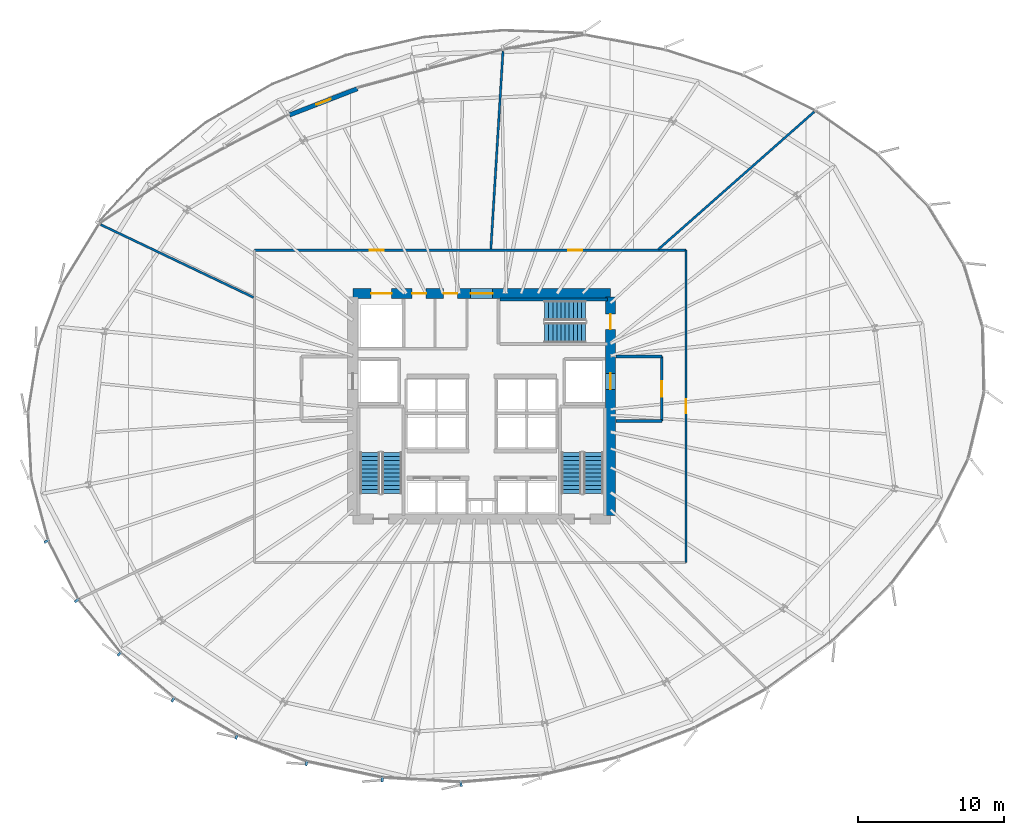
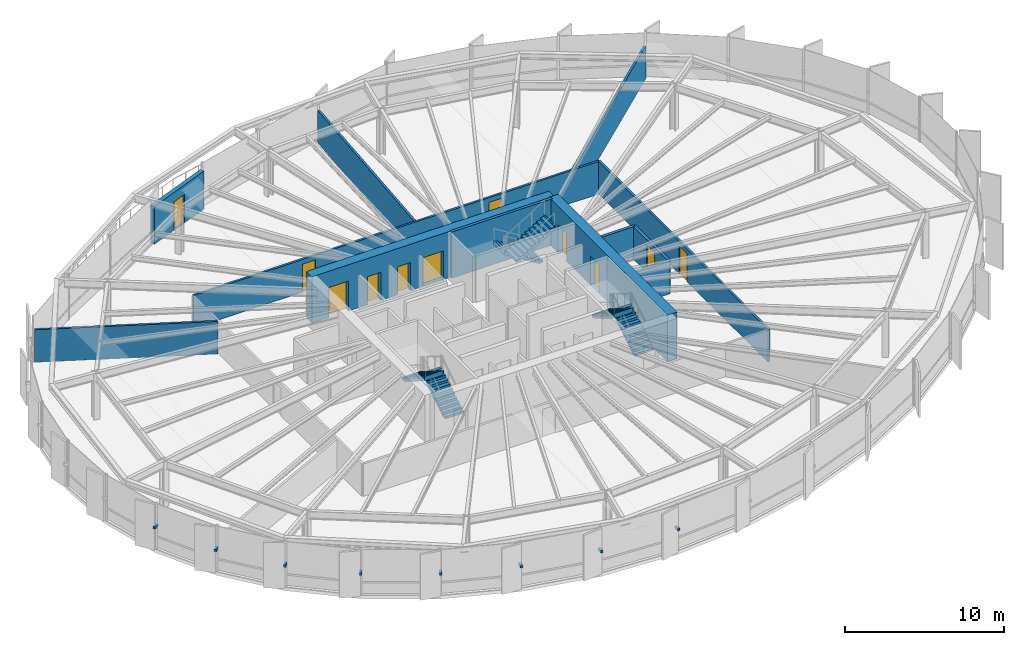
# One storey, part 33 of 38: 12 walls, 11 doors, 8 discrete accessories, 6 stair flights, 11 openings, 3 elements without a shape of their own.
"""IFC4 building model written with IfcOpenShell, lengths in metres."""

from ifc_helpers import new_model, si_unit, direction, frame, frame_2d, origin, origin_2d, place, context, subcontext, project, spatial, polyline, rectangle, outline, extrude, source, transform, mapped, material, layer, layer_set, type_object, element, fill, aggregate, save


model = new_model("IFC4")

# Units and contexts
model_context = context("Model", 3, precision=1e-05, world=origin(), true_north=direction((0.0, 1.0)))
body_context = subcontext(model_context, "Body", "Model", "MODEL_VIEW")
ifc_project = project(units=[si_unit("LENGTHUNIT", "METRE"), si_unit("AREAUNIT", "SQUARE_METRE"), si_unit("VOLUMEUNIT", "CUBIC_METRE"), si_unit("PLANEANGLEUNIT", "RADIAN"), si_unit("MASSUNIT", "GRAM", prefix="KILO"), si_unit("THERMODYNAMICTEMPERATUREUNIT", "KELVIN")], contexts=[model_context])

# Site, building, storey
site_placement = place(None, origin())
site = spatial("IfcSite", under=ifc_project, at=site_placement, CompositionType="ELEMENT")
building_placement = place(site_placement, origin())
building = spatial("IfcBuilding", under=site, at=building_placement, Name="Kethvar Cultural Tower", CompositionType="ELEMENT")
storey_placement = place(building_placement, frame((0.0, 0.0, 67.60009765625)))
storey = spatial("IfcBuildingStorey", under=building, at=storey_placement, Name="L16", CompositionType="ELEMENT", Elevation=67.60009765625)

# Wall, openings, doors
ifc_material_1 = material(Name="Concrete C60/75", Category="concrete")
ifc_layer_1 = layer(ifc_material_1, 0.699951171875, Name="Concrete C60/75", Category="concrete")
ifc_layer_set_1 = layer_set([ifc_layer_1], Name="Concrete C60/75 (700 mm)")
wall_type_1 = type_object("IfcWallType", Name="WL-CORE-700", PredefinedType="SHEAR", material=ifc_layer_set_1)
wall_1_placement = place(storey_placement, frame((55.60009765625, 35.5, 0.0), z_axis=(0.0, 0.0, 1.0), x_axis=(-1.0, 0.0, 0.0)))
wall_1 = element("IfcWall", 1, at=wall_1_placement, inside=storey, type_object=wall_type_1, Name="L16 Core Shear Wall N", PredefinedType="SHEAR", context=body_context, shape_type="SweptSolid", body=[
    extrude(rectangle(XDim=17.60009765625, YDim=0.699951171875, at=frame_2d((8.800048828125, 0.0))), origin(), (0.0, 0.0, 1.0), 3.5498046875),
])
opening_1_placement = place(wall_1_placement, frame((8.050048828125, 0.0, 0.0)))
opening_1 = element("IfcOpeningElement", 2, at=opening_1_placement, cuts=wall_1, Name="Opening D-L16-LN", PredefinedType="OPENING", context=body_context, shape_type="SweptSolid", body=[
    extrude(rectangle(XDim=1.5, YDim=2.199951171875, at=frame_2d((0.75, 1.10009765625))), frame((0.0, 0.35986328125, 0.0), z_axis=(0.0, -1.0, 0.0), x_axis=(1.0, 0.0, 0.0)), (0.0, 0.0, 1.0), 0.719970703125),
])
opening_2_placement = place(wall_1_placement, frame((14.949951171875, 0.0, 0.0)))
opening_2 = element("IfcOpeningElement", 3, at=opening_2_placement, cuts=wall_1, Name="Opening LD-G1", PredefinedType="OPENING", context=body_context, shape_type="SweptSolid", body=[
    extrude(rectangle(XDim=1.39990234375, YDim=2.300048828125, at=frame_2d((0.699951171875, 1.14990234375))), frame((0.0, 0.35986328125, 0.0), z_axis=(0.0, -1.0, 0.0), x_axis=(1.0, 0.0, 0.0)), (0.0, 0.0, 1.0), 0.719970703125),
])
opening_3_placement = place(wall_1_placement, frame((12.60009765625, 0.0, 0.0)))
opening_3 = element("IfcOpeningElement", 4, at=opening_3_placement, cuts=wall_1, Name="Opening D-L16-W1", PredefinedType="OPENING", context=body_context, shape_type="SweptSolid", body=[
    extrude(rectangle(XDim=0.949951171875, YDim=2.14990234375, at=frame_2d((0.47509765625, 1.074951171875))), frame((0.0, 0.35986328125, 0.0), z_axis=(0.0, -1.0, 0.0), x_axis=(1.0, 0.0, 0.0)), (0.0, 0.0, 1.0), 0.719970703125),
])
opening_4_placement = place(wall_1_placement, frame((10.449951171875, 0.0, 0.0)))
opening_4 = element("IfcOpeningElement", 5, at=opening_4_placement, cuts=wall_1, Name="Opening D-L16-W2", PredefinedType="OPENING", context=body_context, shape_type="SweptSolid", body=[
    extrude(rectangle(XDim=0.949951171875, YDim=2.14990234375, at=frame_2d((0.47509765625, 1.074951171875))), frame((0.0, 0.35986328125, 0.0), z_axis=(0.0, -1.0, 0.0), x_axis=(1.0, 0.0, 0.0)), (0.0, 0.0, 1.0), 0.719970703125),
])
ifc_material_2 = material(Name="Architectural Oak Timber", Category="wood")
door_type_1 = type_object("IfcDoorType", Name="DR-DBL-FD60-1500", OperationType="DOUBLE_DOOR_SINGLE_SWING", PredefinedType="DOOR", material=ifc_material_2)
shared_shape_1 = source(origin(), body_context, "Body", "SweptSolid", [
    extrude(rectangle(XDim=1.5, YDim=2.199951171875, at=frame_2d((0.75, 1.10009765625))), frame((0.0, 0.02490234375, 0.0), z_axis=(0.0, -1.0, 0.0), x_axis=(1.0, 0.0, 0.0)), (0.0, 0.0, 1.0), 0.050048828125),
])
door_1_placement = place(opening_1_placement, origin())
door_1 = element("IfcDoor", 6, at=door_1_placement, inside=storey, type_object=door_type_1, Name="L16 Lift Lobby Concourse Door", OperationType="DOUBLE_DOOR_SINGLE_SWING", OverallHeight=2.199951171875, OverallWidth=1.5, PredefinedType="DOOR", context=body_context, shape_type="MappedRepresentation", body=[
    mapped(shared_shape_1, transform((0.0, 0.0, 0.0), scale=1.0)),
])
fill(opening_1, door_1)
ifc_material_3 = material(Name="Steel S355J2", Category="steel")
door_type_2 = type_object("IfcDoorType", Name="DR-LIFT-SLIDE-1400", OperationType="NOTDEFINED", PredefinedType="DOOR", material=ifc_material_3)
shared_shape_2 = source(origin(), body_context, "Body", "SweptSolid", [
    extrude(rectangle(XDim=1.39990234375, YDim=2.300048828125, at=frame_2d((0.699951171875, 1.14990234375))), frame((0.0, 0.02490234375, 0.0), z_axis=(0.0, -1.0, 0.0), x_axis=(1.0, 0.0, 0.0)), (0.0, 0.0, 1.0), 0.050048828125),
])
door_2_placement = place(opening_2_placement, origin())
door_2 = element("IfcDoor", 7, at=door_2_placement, inside=storey, type_object=door_type_2, Name="L16 Goods Lift Landing Door", OperationType="SLIDING_TO_RIGHT", OverallHeight=2.300048828125, OverallWidth=1.39990234375, PredefinedType="DOOR", context=body_context, shape_type="MappedRepresentation", body=[
    mapped(shared_shape_2, transform((0.0, 0.0, 0.0), scale=1.0)),
])
fill(opening_2, door_2)
door_type_3 = type_object("IfcDoorType", Name="DR-FD30-950", OperationType="NOTDEFINED", PredefinedType="DOOR", material=ifc_material_2)
shared_shape_3 = source(origin(), body_context, "Body", "SweptSolid", [
    extrude(rectangle(XDim=0.949951171875, YDim=2.14990234375, at=frame_2d((0.47509765625, 1.074951171875))), frame((0.0, 0.02490234375, 0.0), z_axis=(0.0, -1.0, 0.0), x_axis=(1.0, 0.0, 0.0)), (0.0, 0.0, 1.0), 0.050048828125),
])
door_3_placement = place(opening_3_placement, origin())
door_3 = element("IfcDoor", 8, at=door_3_placement, inside=storey, type_object=door_type_3, Name="L16 Accessible Washroom Door", OperationType="SINGLE_SWING_LEFT", OverallHeight=2.14990234375, OverallWidth=0.949951171875, PredefinedType="DOOR", context=body_context, shape_type="MappedRepresentation", body=[
    mapped(shared_shape_3, transform((0.0, 0.0, 0.0), scale=1.0)),
])
fill(opening_3, door_3)
door_4_placement = place(opening_4_placement, origin())
door_4 = element("IfcDoor", 9, at=door_4_placement, inside=storey, type_object=door_type_3, Name="L16 Public Washroom Door", OperationType="SINGLE_SWING_RIGHT", OverallHeight=2.14990234375, OverallWidth=0.949951171875, PredefinedType="DOOR", context=body_context, shape_type="MappedRepresentation", body=[
    mapped(shared_shape_3, transform((0.0, 0.0, 0.0), scale=1.0)),
])
fill(opening_4, door_4)

wall_2_placement = place(storey_placement, frame((55.60009765625, 20.340087890625, 0.0), z_axis=(0.0, 0.0, 1.0), x_axis=(0.0, 1.0, 0.0)))
wall_2 = element("IfcWall", 10, at=wall_2_placement, inside=storey, type_object=wall_type_1, Name="L16 Core Shear Wall E", PredefinedType="SHEAR", context=body_context, shape_type="SweptSolid", body=[
    extrude(rectangle(XDim=14.919921875, YDim=0.699951171875, at=frame_2d((7.4599609375, 0.0))), origin(), (0.0, 0.0, 1.0), 3.5498046875),
])
opening_5_placement = place(wall_2_placement, frame((12.7099609375, 0.0, 0.0)))
opening_5 = element("IfcOpeningElement", 11, at=opening_5_placement, cuts=wall_2, Name="Opening D-L16-S3", PredefinedType="OPENING", context=body_context, shape_type="SweptSolid", body=[
    extrude(rectangle(XDim=1.050048828125, YDim=2.14990234375, at=frame_2d((0.52490234375, 1.074951171875))), frame((0.0, 0.35986328125, 0.0), z_axis=(0.0, -1.0, 0.0), x_axis=(1.0, 0.0, 0.0)), (0.0, 0.0, 1.0), 0.719970703125),
])
opening_6_placement = place(wall_2_placement, frame((8.610107421875, 0.0, 0.0)))
opening_6 = element("IfcOpeningElement", 12, at=opening_6_placement, cuts=wall_2, Name="Opening LD-2", PredefinedType="OPENING", context=body_context, shape_type="SweptSolid", body=[
    extrude(rectangle(XDim=1.10009765625, YDim=2.199951171875, at=frame_2d((0.550048828125, 1.10009765625))), frame((0.0, 0.35986328125, 0.0), z_axis=(0.0, -1.0, 0.0), x_axis=(1.0, 0.0, 0.0)), (0.0, 0.0, 1.0), 0.719970703125),
])
door_type_4 = type_object("IfcDoorType", Name="DR-FD60-1050", OperationType="NOTDEFINED", PredefinedType="DOOR", material=ifc_material_3)
shared_shape_4 = source(origin(), body_context, "Body", "SweptSolid", [
    extrude(rectangle(XDim=1.050048828125, YDim=2.14990234375, at=frame_2d((0.52490234375, 1.074951171875))), frame((0.0, 0.02490234375, 0.0), z_axis=(0.0, -1.0, 0.0), x_axis=(1.0, 0.0, 0.0)), (0.0, 0.0, 1.0), 0.050048828125),
])
door_5_placement = place(opening_5_placement, origin())
door_5 = element("IfcDoor", 13, at=door_5_placement, inside=storey, type_object=door_type_4, Name="L16 Exit Stair 3 Door", OperationType="SINGLE_SWING_LEFT", OverallHeight=2.14990234375, OverallWidth=1.050048828125, PredefinedType="DOOR", context=body_context, shape_type="MappedRepresentation", body=[
    mapped(shared_shape_4, transform((0.0, 0.0, 0.0), scale=1.0)),
])
fill(opening_5, door_5)
door_type_5 = type_object("IfcDoorType", Name="DR-LIFT-SLIDE-1100", OperationType="NOTDEFINED", PredefinedType="DOOR", material=ifc_material_3)
shared_shape_5 = source(origin(), body_context, "Body", "SweptSolid", [
    extrude(rectangle(XDim=1.10009765625, YDim=2.199951171875, at=frame_2d((0.550048828125, 1.10009765625))), frame((0.0, 0.02490234375, 0.0), z_axis=(0.0, -1.0, 0.0), x_axis=(1.0, 0.0, 0.0)), (0.0, 0.0, 1.0), 0.050048828125),
])
door_6_placement = place(opening_6_placement, origin())
door_6 = element("IfcDoor", 14, at=door_6_placement, inside=storey, type_object=door_type_5, Name="L16 Firefighting Lift Landing Door FFL-02", OperationType="SLIDING_TO_RIGHT", OverallHeight=2.199951171875, OverallWidth=1.10009765625, PredefinedType="DOOR", context=body_context, shape_type="MappedRepresentation", body=[
    mapped(shared_shape_5, transform((0.0, 0.0, 0.0), scale=1.0)),
])
fill(opening_6, door_6)

# Wall, opening, door
ifc_material_4 = material(Name="Concrete C40/50", Category="concrete")
ifc_layer_2 = layer(ifc_material_4, 0.300048828125, Name="Concrete C40/50", Category="concrete")
ifc_layer_set_2 = layer_set([ifc_layer_2], Name="Concrete C40/50 (300 mm)")
wall_type_2 = type_object("IfcWallType", Name="WL-EXT-TER-300", PredefinedType="SOLIDWALL", material=ifc_layer_set_2)
wall_3_placement = place(storey_placement, frame((33.677978515625, 47.6953125, 0.0), z_axis=(0.0, 0.0, 1.0), x_axis=(0.932484431362, 0.361210167725, 0.0)))
wall_3 = element("IfcWall", 15, at=wall_3_placement, inside=storey, type_object=wall_type_2, Name="L16 Sky Terrace Access Wall", PredefinedType="SOLIDWALL", context=body_context, shape_type="SweptSolid", body=[
    extrude(rectangle(XDim=4.9765625, YDim=0.300048828125, at=frame_2d((2.48828125, 0.0))), origin(), (0.0, 0.0, 1.0), 2.9248046875),
])
opening_7_placement = place(wall_3_placement, frame((1.96337890625, 0.0, 0.0)))
opening_7 = element("IfcOpeningElement", 16, at=opening_7_placement, cuts=wall_3, Name="Opening D-L16-T1", PredefinedType="OPENING", context=body_context, shape_type="SweptSolid", body=[
    extrude(rectangle(XDim=1.050048828125, YDim=2.199951171875, at=frame_2d((0.52490234375, 1.10009765625))), frame((0.0, 0.159912109375, 0.0), z_axis=(0.0, -1.0, 0.0), x_axis=(1.0, 0.0, 0.0)), (0.0, 0.0, 1.0), 0.320068359375),
])
ifc_material_5 = material(Name="Aluminium 6063-T6", Category="aluminium")
door_type_6 = type_object("IfcDoorType", Name="DR-EXT-TER-1050", OperationType="NOTDEFINED", PredefinedType="DOOR", material=ifc_material_5)
shared_shape_6 = source(origin(), body_context, "Body", "SweptSolid", [
    extrude(rectangle(XDim=1.050048828125, YDim=2.199951171875, at=frame_2d((0.52490234375, 1.10009765625))), frame((0.0, 0.02490234375, 0.0), z_axis=(0.0, -1.0, 0.0), x_axis=(1.0, 0.0, 0.0)), (0.0, 0.0, 1.0), 0.050048828125),
])
door_7_placement = place(opening_7_placement, origin())
door_7 = element("IfcDoor", 17, at=door_7_placement, inside=storey, type_object=door_type_6, Name="L16 Sky Terrace Access Door D-L16-T1", OperationType="SINGLE_SWING_LEFT", OverallHeight=2.199951171875, OverallWidth=1.050048828125, PredefinedType="DOOR", context=body_context, shape_type="MappedRepresentation", body=[
    mapped(shared_shape_6, transform((0.0, 0.0, 0.0), scale=1.0)),
])
fill(opening_7, door_7)

ifc_material_6 = material(Name="Gypsum Fireboard Partition")
ifc_layer_3 = layer(ifc_material_6, 0.14990234375, Name="Gypsum Fireboard Partition")
ifc_layer_set_3 = layer_set([ifc_layer_3], Name="Gypsum Fireboard Partition (150 mm)")
wall_type_3 = type_object("IfcWallType", Name="WL-FIRE-150", PredefinedType="PARTITIONING", material=ifc_layer_set_3)
wall_4_placement = place(storey_placement, frame((60.75, 17.139892578125, 0.0), z_axis=(0.0, 0.0, 1.0), x_axis=(0.0, 1.0, 0.0)))
wall_4 = element("IfcWall", 18, at=wall_4_placement, inside=storey, type_object=wall_type_3, Name="L16 Corridor Rated Wall E", PredefinedType="PARTITIONING", context=body_context, shape_type="SweptSolid", body=[
    extrude(rectangle(XDim=21.320068359375, YDim=0.14990234375, at=frame_2d((10.66015625, 0.0))), origin(), (0.0, 0.0, 1.0), 2.5048828125),
])
opening_8_placement = place(wall_4_placement, frame((10.18505859375, 0.0, 0.0)))
opening_8 = element("IfcOpeningElement", 19, at=opening_8_placement, cuts=wall_4, Name="Opening D-L16-02", PredefinedType="OPENING", context=body_context, shape_type="SweptSolid", body=[
    extrude(rectangle(XDim=0.949951171875, YDim=2.14990234375, at=frame_2d((0.47509765625, 1.074951171875))), frame((0.0, 0.0849609375, 0.0), z_axis=(0.0, -1.0, 0.0), x_axis=(1.0, 0.0, 0.0)), (0.0, 0.0, 1.0), 0.169921875),
])
door_8_placement = place(opening_8_placement, origin())
door_8 = element("IfcDoor", 20, at=door_8_placement, inside=storey, type_object=door_type_3, Name="L16 Researchers' Study Lounge 02 Door", OperationType="SINGLE_SWING_RIGHT", OverallHeight=2.14990234375, OverallWidth=0.949951171875, PredefinedType="DOOR", context=body_context, shape_type="MappedRepresentation", body=[
    mapped(shared_shape_3, transform((0.0, 0.0, 0.0), scale=1.0)),
])
fill(opening_8, door_8)

# Wall, openings, doors
wall_5_placement = place(storey_placement, frame((60.75, 38.4599609375, 0.0), z_axis=(0.0, 0.0, 1.0), x_axis=(-1.0, 0.0, 0.0)))
wall_5 = element("IfcWall", 21, at=wall_5_placement, inside=storey, type_object=wall_type_3, Name="L16 Corridor Rated Wall N", PredefinedType="PARTITIONING", context=body_context, shape_type="SweptSolid", body=[
    extrude(rectangle(XDim=29.4599609375, YDim=0.14990234375, at=frame_2d((14.72998046875, 0.0))), origin(), (0.0, 0.0, 1.0), 2.5048828125),
])
opening_9_placement = place(wall_5_placement, frame((7.091064453125, 0.0, 0.0)))
opening_9 = element("IfcOpeningElement", 22, at=opening_9_placement, cuts=wall_5, Name="Opening D-L16-03", PredefinedType="OPENING", context=body_context, shape_type="SweptSolid", body=[
    extrude(rectangle(XDim=0.949951171875, YDim=2.14990234375, at=frame_2d((0.47509765625, 1.074951171875))), frame((0.0, 0.0849609375, 0.0), z_axis=(0.0, -1.0, 0.0), x_axis=(1.0, 0.0, 0.0)), (0.0, 0.0, 1.0), 0.169921875),
])
opening_10_placement = place(wall_5_placement, frame((20.627685546875, 0.0, 0.0)))
opening_10 = element("IfcOpeningElement", 23, at=opening_10_placement, cuts=wall_5, Name="Opening D-L16-04", PredefinedType="OPENING", context=body_context, shape_type="SweptSolid", body=[
    extrude(rectangle(XDim=0.949951171875, YDim=2.14990234375, at=frame_2d((0.47509765625, 1.074951171875))), frame((0.0, 0.0849609375, 0.0), z_axis=(0.0, -1.0, 0.0), x_axis=(1.0, 0.0, 0.0)), (0.0, 0.0, 1.0), 0.169921875),
])
door_9_placement = place(opening_9_placement, origin())
door_9 = element("IfcDoor", 24, at=door_9_placement, inside=storey, type_object=door_type_3, Name="L16 Cultural Lecture Room 03 Door", OperationType="SINGLE_SWING_LEFT", OverallHeight=2.14990234375, OverallWidth=0.949951171875, PredefinedType="DOOR", context=body_context, shape_type="MappedRepresentation", body=[
    mapped(shared_shape_3, transform((0.0, 0.0, 0.0), scale=1.0)),
])
fill(opening_9, door_9)
door_10_placement = place(opening_10_placement, origin())
door_10 = element("IfcDoor", 25, at=door_10_placement, inside=storey, type_object=door_type_3, Name="L16 Patron Reception 04 Door", OperationType="SINGLE_SWING_RIGHT", OverallHeight=2.14990234375, OverallWidth=0.949951171875, PredefinedType="DOOR", context=body_context, shape_type="MappedRepresentation", body=[
    mapped(shared_shape_3, transform((0.0, 0.0, 0.0), scale=1.0)),
])
fill(opening_10, door_10)

# Wall, opening, door
ifc_layer_4 = layer(ifc_material_4, 0.199951171875, Name="Concrete C40/50", Category="concrete")
ifc_layer_set_4 = layer_set([ifc_layer_4], Name="Concrete C40/50 (200 mm)")
wall_type_4 = type_object("IfcWallType", Name="WL-FIRE-200", PredefinedType="PARTITIONING", material=ifc_layer_set_4)
wall_6_placement = place(storey_placement, frame((59.10009765625, 26.800048828125, 0.0), z_axis=(0.0, 0.0, 1.0), x_axis=(0.0, 1.0, 0.0)))
wall_6 = element("IfcWall", 26, at=wall_6_placement, inside=storey, type_object=wall_type_4, Name="L16 Firefighting Lobby 2 Wall", PredefinedType="PARTITIONING", context=body_context, shape_type="SweptSolid", body=[
    extrude(rectangle(XDim=4.39990234375, YDim=0.199951171875, at=frame_2d((2.199951171875, 0.0))), origin(), (0.0, 0.0, 1.0), 2.5048828125),
])
opening_11_placement = place(wall_6_placement, frame((1.64990234375, 0.0, 0.0)))
opening_11 = element("IfcOpeningElement", 27, at=opening_11_placement, cuts=wall_6, Name="Opening D-L16-F2", PredefinedType="OPENING", context=body_context, shape_type="SweptSolid", body=[
    extrude(rectangle(XDim=1.050048828125, YDim=2.14990234375, at=frame_2d((0.52490234375, 1.074951171875))), frame((0.0, 0.10986328125, 0.0), z_axis=(0.0, -1.0, 0.0), x_axis=(1.0, 0.0, 0.0)), (0.0, 0.0, 1.0), 0.219970703125),
])
door_11_placement = place(opening_11_placement, origin())
door_11 = element("IfcDoor", 28, at=door_11_placement, inside=storey, type_object=door_type_4, Name="L16 Firefighting Lobby 2 Fire Door", OperationType="SINGLE_SWING_LEFT", OverallHeight=2.14990234375, OverallWidth=1.050048828125, PredefinedType="DOOR", context=body_context, shape_type="MappedRepresentation", body=[
    mapped(shared_shape_4, transform((0.0, 0.0, 0.0), scale=1.0)),
])
fill(opening_11, door_11)

# Walls
for number, where, z_axis, x_axis, name in (
    (29, (55.9599609375, 26.800048828125, 0.0), (0.0, 0.0, 1.0), (1.0, 0.0, 0.0), "L16 FF Lobby 2 South Wall"),
    (30, (55.9599609375, 31.199951171875, 0.0), (0.0, 0.0, 1.0), (1.0, 0.0, 0.0), "L16 FF Lobby 2 North Wall"),
):
    element("IfcWall", number, at=place(storey_placement, frame(where, z_axis=z_axis, x_axis=x_axis)), inside=storey, type_object=wall_type_4, Name=name, PredefinedType="PARTITIONING", context=body_context, shape_type="SweptSolid", body=[
        extrude(rectangle(XDim=3.14013671875, YDim=0.199951171875, at=frame_2d((1.570068359375, 0.0))), origin(), (0.0, 0.0, 1.0), 2.5048828125),
    ])
ifc_material_7 = material(Name="Gypsum Acoustic Partition")
ifc_layer_5 = layer(ifc_material_7, 0.14990234375, Name="Gypsum Acoustic Partition")
ifc_layer_set_5 = layer_set([ifc_layer_5], Name="Gypsum Acoustic Partition (150 mm)")
wall_type_5 = type_object("IfcWallType", Name="WL-PART-150", PredefinedType="PARTITIONING", material=ifc_layer_set_5)
wall_7_placement = place(storey_placement, frame((58.86181640625, 38.512939453125, 0.0), z_axis=(0.0, 0.0, 1.0), x_axis=(0.749751511965, 0.661719480071, 0.0)))
element("IfcWall", 31, at=wall_7_placement, inside=storey, type_object=wall_type_5, Name="L16 Radial Partition Wall 03", PredefinedType="PARTITIONING", context=body_context, shape_type="SweptSolid", body=[
    extrude(rectangle(XDim=14.19384765625, YDim=0.14990234375, at=frame_2d((7.096923828125, 0.0))), origin(), (0.0, 0.0, 1.0), 2.5048828125),
])
wall_8_placement = place(storey_placement, frame((47.42919921875, 38.539794921875, 0.0), z_axis=(0.0, 0.0, 1.0), x_axis=(0.061146369808, 0.998128810054, 0.0)))
element("IfcWall", 32, at=wall_8_placement, inside=storey, type_object=wall_type_5, Name="L16 Radial Partition Wall 04", PredefinedType="PARTITIONING", context=body_context, shape_type="SweptSolid", body=[
    extrude(rectangle(XDim=13.535400390625, YDim=0.14990234375, at=frame_2d((6.767578125, 0.0))), origin(), (0.0, 0.0, 1.0), 2.5048828125),
])
wall_9_placement = place(storey_placement, frame((31.2177734375, 35.239990234375, 0.0), z_axis=(0.0, 0.0, 1.0), x_axis=(-0.90287106559, 0.429911431484, 0.0)))
element("IfcWall", 33, at=wall_9_placement, inside=storey, type_object=wall_type_5, Name="L16 Radial Partition Wall 05", PredefinedType="PARTITIONING", context=body_context, shape_type="SweptSolid", body=[
    extrude(rectangle(XDim=11.552490234375, YDim=0.14990234375, at=frame_2d((5.7763671875, 0.0))), origin(), (0.0, 0.0, 1.0), 2.5048828125),
])
ifc_material_8 = material(Name="Concrete C50/60", Category="concrete")
ifc_layer_6 = layer(ifc_material_8, 0.199951171875, Name="Concrete C50/60", Category="concrete")
ifc_layer_set_6 = layer_set([ifc_layer_6], Name="Concrete C50/60 (200 mm)")
wall_type_6 = type_object("IfcWallType", Name="WL-STSHAFT-200", PredefinedType="SHEAR", material=ifc_layer_set_6)
wall_10_placement = place(storey_placement, frame((48.050048828125, 35.110107421875, 0.0), z_axis=(0.0, 0.0, 1.0), x_axis=(1.0, 0.0, 0.0)))
element("IfcWall", 34, at=wall_10_placement, inside=storey, type_object=wall_type_6, Name="L16 ST-03 Stair Shaft Wall LEFT", PredefinedType="SHEAR", context=body_context, shape_type="SweptSolid", body=[
    extrude(rectangle(XDim=7.349853515625, YDim=0.199951171875, at=frame_2d((3.6748046875, 0.0))), origin(), (0.0, 0.0, 1.0), 3.5498046875),
])

# Stair, stair flights
stair_type = type_object("IfcStairType", Name="ST-DOGLEG-135", PredefinedType="HALF_TURN_STAIR", material=ifc_material_4)
stair_1_placement = place(storey_placement, origin())
stair_1 = element("IfcStair", 35, at=stair_1_placement, inside=storey, type_object=stair_type, Name="L16 Core Exit Stair 1", PredefinedType="HALF_TURN_STAIR")
stair_flight_type = type_object("IfcStairFlightType", Name="FL-STRAIGHT-135", PredefinedType="STRAIGHT", material=ifc_material_4)
stair_flight_1_placement = place(storey_placement, frame((40.675048828125, 21.85009765625, 0.0), z_axis=(0.0, 0.0, 1.0), x_axis=(0.0, 1.0, 0.0)))
stair_flight_1 = element("IfcStairFlight", 36, at=stair_flight_1_placement, type_object=stair_flight_type, Name="ST-01 flight 1", NumberOfRisers=11, NumberOfTreads=10, PredefinedType="STRAIGHT", RiserHeight=0.172727273, TreadLength=0.28, context=body_context, shape_type="SweptSolid", body=[
    extrude(outline(polyline([(-0.0009765625, -0.0009765625), (-0.0009765625, 0.172607421875), (0.280029296875, 0.172607421875), (0.280029296875, 0.345458984375), (0.56005859375, 0.345458984375), (0.56005859375, 0.51806640625), (0.840087890625, 0.51806640625), (0.840087890625, 0.69091796875), (1.1201171875, 0.69091796875), (1.1201171875, 0.863525390625), (1.39990234375, 0.863525390625), (1.39990234375, 1.036376953125), (1.679931640625, 1.036376953125), (1.679931640625, 1.208984375), (1.9599609375, 1.208984375), (1.9599609375, 1.3818359375), (2.239990234375, 1.3818359375), (2.239990234375, 1.554443359375), (2.52001953125, 1.554443359375), (2.52001953125, 1.727294921875), (2.800048828125, 1.727294921875), (2.800048828125, 1.89990234375), (2.801025390625, 1.89990234375), (2.801025390625, 1.551025390625), (0.285400390625, 0.0), (0.0, -0.0009765625), (-0.0009765625, -0.0009765625)])), frame((0.0, 0.675048828125, 0.0), z_axis=(0.0, -1.0, 0.0), x_axis=(1.0, 0.0, 0.0)), (0.0, 0.0, 1.0), 1.35009765625),
])
stair_flight_2_placement = place(storey_placement, frame((39.1650390625, 24.64990234375, 1.89990234375), z_axis=(0.0, 0.0, 1.0), x_axis=(0.0, -1.0, 0.0)))
stair_flight_2 = element("IfcStairFlight", 37, at=stair_flight_2_placement, type_object=stair_flight_type, Name="ST-01 flight 2", NumberOfRisers=11, NumberOfTreads=10, PredefinedType="STRAIGHT", RiserHeight=0.172727273, TreadLength=0.28, context=body_context, shape_type="SweptSolid", body=[
    extrude(outline(polyline([(-0.0009765625, -0.0009765625), (-0.0009765625, 0.172607421875), (0.280029296875, 0.172607421875), (0.280029296875, 0.345458984375), (0.56005859375, 0.345458984375), (0.56005859375, 0.51806640625), (0.840087890625, 0.51806640625), (0.840087890625, 0.69091796875), (1.1201171875, 0.69091796875), (1.1201171875, 0.863525390625), (1.39990234375, 0.863525390625), (1.39990234375, 1.036376953125), (1.679931640625, 1.036376953125), (1.679931640625, 1.208984375), (1.9599609375, 1.208984375), (1.9599609375, 1.3818359375), (2.239990234375, 1.3818359375), (2.239990234375, 1.554443359375), (2.52001953125, 1.554443359375), (2.52001953125, 1.727294921875), (2.800048828125, 1.727294921875), (2.800048828125, 1.89990234375), (2.801025390625, 1.89990234375), (2.801025390625, 1.551025390625), (0.285400390625, 0.0), (0.0, -0.0009765625), (-0.0009765625, -0.0009765625)])), frame((0.0, 0.675048828125, 0.0), z_axis=(0.0, -1.0, 0.0), x_axis=(1.0, 0.0, 0.0)), (0.0, 0.0, 1.0), 1.35009765625),
])
aggregate(stair_1, [stair_flight_1, stair_flight_2])

stair_2_placement = place(storey_placement, origin())
stair_2 = element("IfcStair", 38, at=stair_2_placement, inside=storey, type_object=stair_type, Name="L16 Core Exit Stair 2", PredefinedType="HALF_TURN_STAIR")
stair_flight_3_placement = place(storey_placement, frame((54.43505859375, 21.85009765625, 0.0), z_axis=(0.0, 0.0, 1.0), x_axis=(0.0, 1.0, 0.0)))
stair_flight_3 = element("IfcStairFlight", 39, at=stair_flight_3_placement, type_object=stair_flight_type, Name="ST-02 flight 1", NumberOfRisers=11, NumberOfTreads=10, PredefinedType="STRAIGHT", RiserHeight=0.172727273, TreadLength=0.28, context=body_context, shape_type="SweptSolid", body=[
    extrude(outline(polyline([(-0.0009765625, -0.0009765625), (-0.0009765625, 0.172607421875), (0.280029296875, 0.172607421875), (0.280029296875, 0.345458984375), (0.56005859375, 0.345458984375), (0.56005859375, 0.51806640625), (0.840087890625, 0.51806640625), (0.840087890625, 0.69091796875), (1.1201171875, 0.69091796875), (1.1201171875, 0.863525390625), (1.39990234375, 0.863525390625), (1.39990234375, 1.036376953125), (1.679931640625, 1.036376953125), (1.679931640625, 1.208984375), (1.9599609375, 1.208984375), (1.9599609375, 1.3818359375), (2.239990234375, 1.3818359375), (2.239990234375, 1.554443359375), (2.52001953125, 1.554443359375), (2.52001953125, 1.727294921875), (2.800048828125, 1.727294921875), (2.800048828125, 1.89990234375), (2.801025390625, 1.89990234375), (2.801025390625, 1.551025390625), (0.285400390625, 0.0), (0.0, -0.0009765625), (-0.0009765625, -0.0009765625)])), frame((0.0, 0.675048828125, 0.0), z_axis=(0.0, -1.0, 0.0), x_axis=(1.0, 0.0, 0.0)), (0.0, 0.0, 1.0), 1.35009765625),
])
stair_flight_4_placement = place(storey_placement, frame((52.925048828125, 24.64990234375, 1.89990234375), z_axis=(0.0, 0.0, 1.0), x_axis=(0.0, -1.0, 0.0)))
stair_flight_4 = element("IfcStairFlight", 40, at=stair_flight_4_placement, type_object=stair_flight_type, Name="ST-02 flight 2", NumberOfRisers=11, NumberOfTreads=10, PredefinedType="STRAIGHT", RiserHeight=0.172727273, TreadLength=0.28, context=body_context, shape_type="SweptSolid", body=[
    extrude(outline(polyline([(-0.0009765625, -0.0009765625), (-0.0009765625, 0.172607421875), (0.280029296875, 0.172607421875), (0.280029296875, 0.345458984375), (0.56005859375, 0.345458984375), (0.56005859375, 0.51806640625), (0.840087890625, 0.51806640625), (0.840087890625, 0.69091796875), (1.1201171875, 0.69091796875), (1.1201171875, 0.863525390625), (1.39990234375, 0.863525390625), (1.39990234375, 1.036376953125), (1.679931640625, 1.036376953125), (1.679931640625, 1.208984375), (1.9599609375, 1.208984375), (1.9599609375, 1.3818359375), (2.239990234375, 1.3818359375), (2.239990234375, 1.554443359375), (2.52001953125, 1.554443359375), (2.52001953125, 1.727294921875), (2.800048828125, 1.727294921875), (2.800048828125, 1.89990234375), (2.801025390625, 1.89990234375), (2.801025390625, 1.551025390625), (0.285400390625, 0.0), (0.0, -0.0009765625), (-0.0009765625, -0.0009765625)])), frame((0.0, 0.675048828125, 0.0), z_axis=(0.0, -1.0, 0.0), x_axis=(1.0, 0.0, 0.0)), (0.0, 0.0, 1.0), 1.35009765625),
])
aggregate(stair_2, [stair_flight_3, stair_flight_4])

stair_3_placement = place(storey_placement, origin())
stair_3 = element("IfcStair", 41, at=stair_3_placement, inside=storey, type_object=stair_type, Name="L16 Core Exit Stair 3", PredefinedType="HALF_TURN_STAIR")
stair_flight_5_placement = place(storey_placement, frame((53.89990234375, 34.3349609375, 0.0), z_axis=(0.0, 0.0, 1.0), x_axis=(-1.0, 0.0, 0.0)))
stair_flight_5 = element("IfcStairFlight", 42, at=stair_flight_5_placement, type_object=stair_flight_type, Name="ST-03 flight 1", NumberOfRisers=11, NumberOfTreads=10, PredefinedType="STRAIGHT", RiserHeight=0.172727273, TreadLength=0.28, context=body_context, shape_type="SweptSolid", body=[
    extrude(outline(polyline([(-0.0009765625, -0.0009765625), (-0.0009765625, 0.172607421875), (0.280029296875, 0.172607421875), (0.280029296875, 0.345458984375), (0.56005859375, 0.345458984375), (0.56005859375, 0.51806640625), (0.840087890625, 0.51806640625), (0.840087890625, 0.69091796875), (1.1201171875, 0.69091796875), (1.1201171875, 0.863525390625), (1.39990234375, 0.863525390625), (1.39990234375, 1.036376953125), (1.679931640625, 1.036376953125), (1.679931640625, 1.208984375), (1.9599609375, 1.208984375), (1.9599609375, 1.3818359375), (2.239990234375, 1.3818359375), (2.239990234375, 1.554443359375), (2.52001953125, 1.554443359375), (2.52001953125, 1.727294921875), (2.800048828125, 1.727294921875), (2.800048828125, 1.89990234375), (2.801025390625, 1.89990234375), (2.801025390625, 1.551025390625), (0.285400390625, 0.0), (0.0, -0.0009765625), (-0.0009765625, -0.0009765625)])), frame((0.0, 0.675048828125, 0.0), z_axis=(0.0, -1.0, 0.0), x_axis=(1.0, 0.0, 0.0)), (0.0, 0.0, 1.0), 1.35009765625),
])
stair_flight_6_placement = place(storey_placement, frame((51.10009765625, 32.824951171875, 1.89990234375), z_axis=(0.0, 0.0, 1.0), x_axis=(1.0, 0.0, 0.0)))
stair_flight_6 = element("IfcStairFlight", 43, at=stair_flight_6_placement, type_object=stair_flight_type, Name="ST-03 flight 2", NumberOfRisers=11, NumberOfTreads=10, PredefinedType="STRAIGHT", RiserHeight=0.172727273, TreadLength=0.28, context=body_context, shape_type="SweptSolid", body=[
    extrude(outline(polyline([(-0.0009765625, -0.0009765625), (-0.0009765625, 0.172607421875), (0.280029296875, 0.172607421875), (0.280029296875, 0.345458984375), (0.56005859375, 0.345458984375), (0.56005859375, 0.51806640625), (0.840087890625, 0.51806640625), (0.840087890625, 0.69091796875), (1.1201171875, 0.69091796875), (1.1201171875, 0.863525390625), (1.39990234375, 0.863525390625), (1.39990234375, 1.036376953125), (1.679931640625, 1.036376953125), (1.679931640625, 1.208984375), (1.9599609375, 1.208984375), (1.9599609375, 1.3818359375), (2.239990234375, 1.3818359375), (2.239990234375, 1.554443359375), (2.52001953125, 1.554443359375), (2.52001953125, 1.727294921875), (2.800048828125, 1.727294921875), (2.800048828125, 1.89990234375), (2.801025390625, 1.89990234375), (2.801025390625, 1.551025390625), (0.285400390625, 0.0), (0.0, -0.0009765625), (-0.0009765625, -0.0009765625)])), frame((0.0, 0.675048828125, 0.0), z_axis=(0.0, -1.0, 0.0), x_axis=(1.0, 0.0, 0.0)), (0.0, 0.0, 1.0), 1.35009765625),
])
aggregate(stair_3, [stair_flight_5, stair_flight_6])

# Discrete accessories
discrete_accessory_type = type_object("IfcDiscreteAccessoryType", Name="Steel Fin Bracket BRK-01", PredefinedType="BRACKET", material=ifc_material_3)
shared_shape_7 = source(origin(), body_context, "Body", "SweptSolid", [
    extrude(rectangle(XDim=0.3798828125, YDim=0.159912109375, at=origin_2d()), origin(), (0.0, 0.0, 1.0), 0.179931640625),
])
for number, where, z_axis, x_axis, name in (
    (44, (17.09716796875, 18.589599609375, 1.68505859375), (0.0, 0.0, 1.0), (-0.890212804611, -0.455544907234, 0.0), "L16 Terracotta Fin Bracket 4.3"),
    (45, (19.1650390625, 14.548828125, 1.68505859375), (0.0, 0.0, 1.0), (-0.781193702712, -0.624288714333, 0.0), "L16 Terracotta Fin Bracket 4.4"),
    (46, (22.072509765625, 10.9111328125, 1.68505859375), (0.0, 0.0, 1.0), (-0.64944804833, -0.7604059656, 0.0), "L16 Terracotta Fin Bracket 4.5"),
    (47, (25.7314453125, 7.786865234375, 1.68505859375), (0.0, 0.0, 1.0), (-0.50513026462, -0.863043113503, 0.0), "L16 Terracotta Fin Bracket 4.6"),
    (48, (30.06982421875, 5.25537109375, 1.68505859375), (0.0, 0.0, 1.0), (-0.356085714679, -0.934453296747, 0.0), "L16 Terracotta Fin Bracket 5.1"),
    (49, (34.83837890625, 3.438720703125, 1.68505859375), (0.0, 0.0, 1.0), (-0.206545736898, -0.97843694665, 0.0), "L16 Terracotta Fin Bracket 5.2"),
    (50, (40.01025390625, 2.346923828125, 1.68505859375), (0.0, 0.0, 1.0), (-0.059132146956, -0.998250163635, 0.0), "L16 Terracotta Fin Bracket 5.3"),
    (51, (45.38818359375, 2.02880859375, 1.68505859375), (0.0, 0.0, 1.0), (0.085416923137, -0.996345296191, 0.0), "L16 Terracotta Fin Bracket 5.4"),
):
    element("IfcDiscreteAccessory", number, at=place(storey_placement, frame(where, z_axis=z_axis, x_axis=x_axis)), inside=storey, type_object=discrete_accessory_type, Name=name, PredefinedType="BRACKET", context=body_context, shape_type="MappedRepresentation", body=[
        mapped(shared_shape_7, transform((0.0, 0.0, 0.0), scale=1.0)),
    ])

save(model, "model.ifc")
